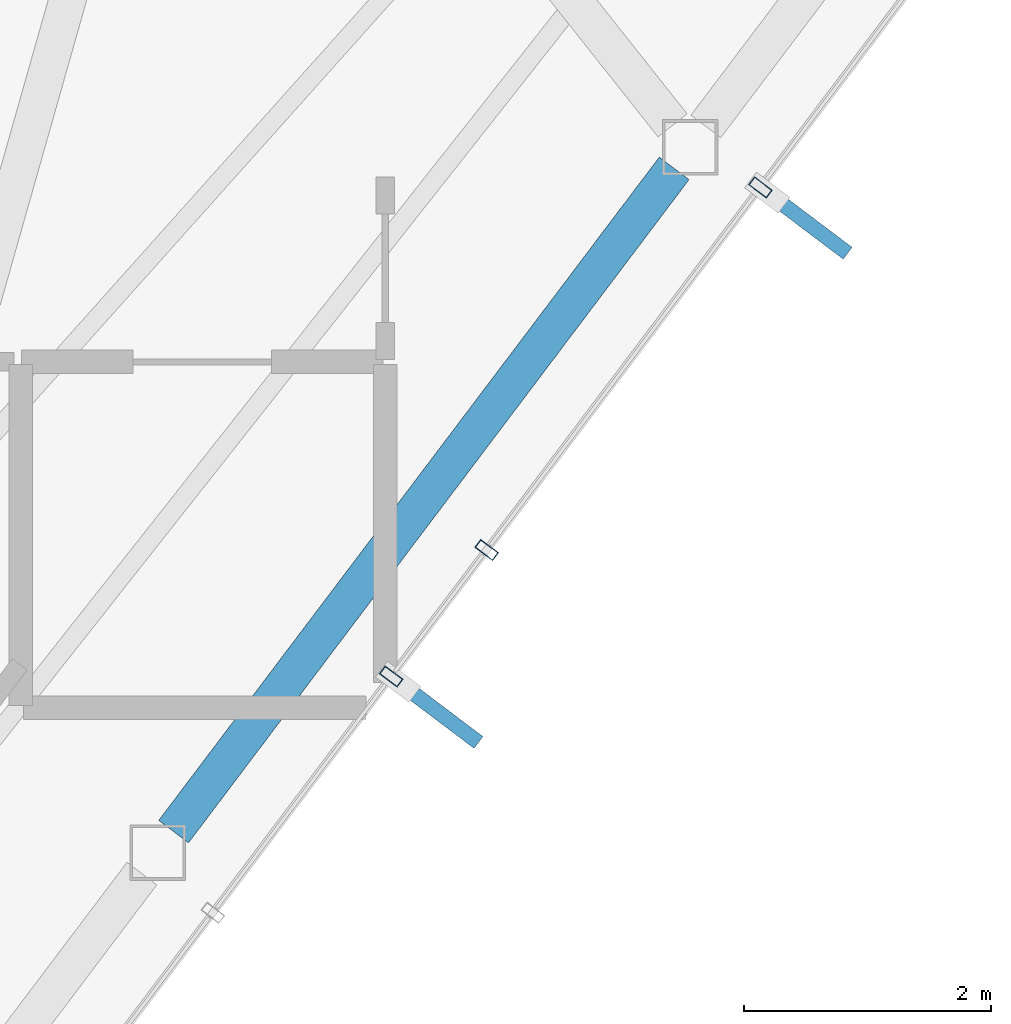
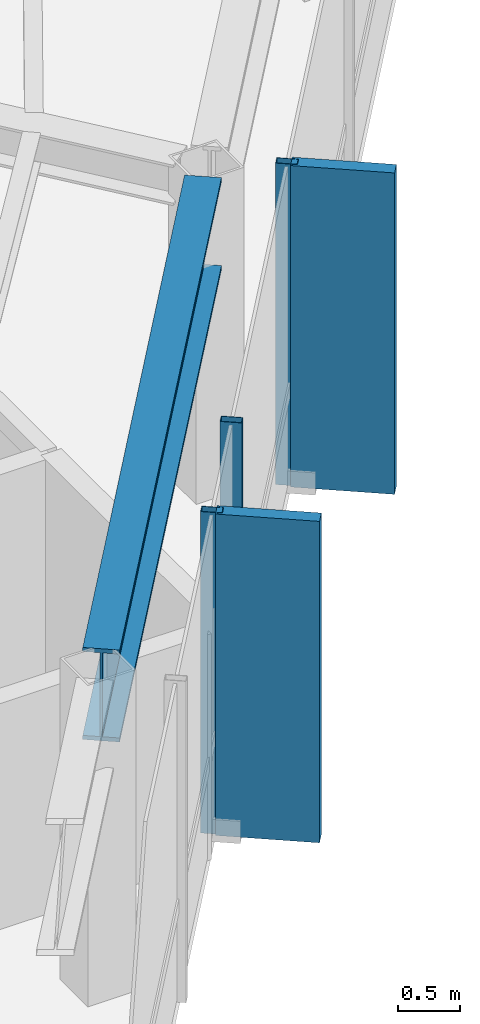
# One storey, part 15 of 23: 5 members, 1 beam, 1 element without a shape of its own.
"""IFC4 building model written with IfcOpenShell, lengths in metres."""

from ifc_helpers import new_model, si_unit, direction, frame, origin, origin_2d, place, context, subcontext, project, spatial, rectangle, hollow_rectangle, i_section, extrude, material, layer, layer_set, material_profile, profile_set, type_object, element, aggregate, save


model = new_model("IFC4")

# Units and contexts
model_context = context("Model", 3, precision=1e-05, world=origin(), true_north=direction((0.0, 1.0)))
body_context = subcontext(model_context, "Body", "Model", "MODEL_VIEW")
ifc_project = project(units=[si_unit("LENGTHUNIT", "METRE"), si_unit("AREAUNIT", "SQUARE_METRE"), si_unit("VOLUMEUNIT", "CUBIC_METRE"), si_unit("PLANEANGLEUNIT", "RADIAN"), si_unit("MASSUNIT", "GRAM", prefix="KILO")], contexts=[model_context])

# Site, building, storey
site_placement = place(None, origin())
site = spatial("IfcSite", under=ifc_project, at=site_placement, CompositionType="ELEMENT")
building_placement = place(site_placement, origin())
building = spatial("IfcBuilding", under=site, at=building_placement, Name="Zarrinselat Tower", CompositionType="ELEMENT")
storey_placement = place(building_placement, frame((0.0, 0.0, 282.199951171875)))
storey = spatial("IfcBuildingStorey", under=building, at=storey_placement, Name="L72", CompositionType="ELEMENT", Elevation=282.199951171875)

# Beam
ifc_material_1 = material(Name="Steel S460M", Category="steel")
ifc_material_profile_1 = material_profile(ifc_material_1, i_section(OverallWidth=0.302001953125, OverallDepth=0.909912109375, WebThickness=0.02099609375, FlangeThickness=0.0400390625, at=origin_2d()), Name="HEM 900")
ifc_profile_set_1 = profile_set([ifc_material_profile_1], Name="Steel S460M")
beam_type = type_object("IfcBeamType", Name="BM-HEM900", PredefinedType="BEAM", material=ifc_profile_set_1)
beam_placement = place(storey_placement, frame((46.63623046875, 26.347900390625, 2.72509765625), z_axis=(0.602447918668, 0.798158195656, 0.0), x_axis=(-0.798158195656, 0.602447918668, 0.0)))
element("IfcBeam", 1, at=beam_placement, inside=storey, type_object=beam_type, Name="L72 Perimeter Spandrel Girder SP12", PredefinedType="BEAM", context=body_context, shape_type="SweptSolid", body=[
    extrude(i_section(OverallWidth=0.302001953125, OverallDepth=0.909912109375, WebThickness=0.02099609375, FlangeThickness=0.0400390625, at=origin_2d()), origin(), (0.0, 0.0, 1.0), 6.726318359375),
])

# Curtain wall, members
ifc_material_2 = material(Name="Extruded Aluminium Alloy EN AW-6063 T6", Category="aluminium")
ifc_layer = layer(ifc_material_2, 0.199951171875)
ifc_layer_set = layer_set([ifc_layer], Name="Extruded Aluminium Alloy EN AW-6063 T6")
curtain_wall_type = type_object("IfcCurtainWallType", Name="CWS-BLADE", PredefinedType="NOTDEFINED", material=ifc_layer_set)
curtain_wall_placement = place(storey_placement, origin())
curtain_wall = element("IfcCurtainWall", 2, at=curtain_wall_placement, inside=storey, type_object=curtain_wall_type, Name="L72 Unitised Curtain Wall CW-L72-E05", PredefinedType="NOTDEFINED")
ifc_material_3 = material(Name="Extruded Aluminium Alloy EN AW-6063 T6", Category="aluminium")
ifc_material_profile_2 = material_profile(ifc_material_3, hollow_rectangle(XDim=0.080078125, YDim=0.179931640625, WallThickness=0.0048828125, at=origin_2d()), Name="RHS 180x80x5")
ifc_profile_set_2 = profile_set([ifc_material_profile_2], Name="Extruded Aluminium Alloy EN AW-6063 T6")
member_type_1 = type_object("IfcMemberType", Name="MEM-CW-MUL", PredefinedType="MULLION", material=ifc_profile_set_2)
member_1_placement = place(storey_placement, frame((48.39794921875, 27.602783203125, 0.0), z_axis=(0.0, 0.0, 1.0), x_axis=(0.602445101176, 0.798160322284, 0.0)))
member_1 = element("IfcMember", 3, at=member_1_placement, type_object=member_type_1, Name="CW-L72-E05 Mullion 3", PredefinedType="MULLION", context=body_context, shape_type="SweptSolid", body=[
    extrude(hollow_rectangle(XDim=0.080078125, YDim=0.179931640625, WallThickness=0.0048828125, at=origin_2d()), origin(), (0.0, 0.0, 1.0), 3.179931640625),
])
member_2_placement = place(storey_placement, frame((49.170654296875, 28.626708984375, 0.0), z_axis=(0.0, 0.0, 1.0), x_axis=(0.602445101176, 0.798160322284, 0.0)))
member_2 = element("IfcMember", 4, at=member_2_placement, type_object=member_type_1, Name="CW-L72-E05 Mullion 4", PredefinedType="MULLION", context=body_context, shape_type="SweptSolid", body=[
    extrude(hollow_rectangle(XDim=0.080078125, YDim=0.179931640625, WallThickness=0.0048828125, at=origin_2d()), origin(), (0.0, 0.0, 1.0), 3.179931640625),
])
member_3_placement = place(storey_placement, frame((51.386474609375, 31.5625, 0.0), z_axis=(0.0, 0.0, 1.0), x_axis=(0.602445101176, 0.798160322284, 0.0)))
member_3 = element("IfcMember", 5, at=member_3_placement, type_object=member_type_1, Name="CW-L72-E05 Mullion 5", PredefinedType="MULLION", context=body_context, shape_type="SweptSolid", body=[
    extrude(hollow_rectangle(XDim=0.080078125, YDim=0.179931640625, WallThickness=0.0048828125, at=origin_2d()), origin(), (0.0, 0.0, 1.0), 3.179931640625),
])
ifc_material_4 = material(Name="Honed Cream Travertine Stone", Category="masonry")
ifc_material_profile_3 = material_profile(ifc_material_4, rectangle(XDim=0.1201171875, YDim=0.85009765625, at=origin_2d()), Name="FIN 850x120")
ifc_profile_set_3 = profile_set([ifc_material_profile_3], Name="Honed Cream Travertine Stone")
member_type_2 = type_object("IfcMemberType", Name="MEM-STONE-FIN", PredefinedType="USERDEFINED", material=ifc_profile_set_3)
member_4_placement = place(storey_placement, frame((48.76513671875, 27.32568359375, 0.0), z_axis=(0.0, 0.0, 1.0), x_axis=(-0.602445101176, -0.798160322284, 0.0)))
member_4 = element("IfcMember", 6, at=member_4_placement, type_object=member_type_2, Name="L72 Stone Shading Fin CW-L72-E05-03", ObjectType="FIN", PredefinedType="USERDEFINED", context=body_context, shape_type="SweptSolid", body=[
    extrude(rectangle(XDim=0.1201171875, YDim=0.85009765625, at=origin_2d()), origin(), (0.0, 0.0, 1.0), 3.179931640625),
])
member_5_placement = place(storey_placement, frame((51.753662109375, 31.285400390625, 0.0), z_axis=(0.0, 0.0, 1.0), x_axis=(-0.602445101176, -0.798160322284, 0.0)))
member_5 = element("IfcMember", 7, at=member_5_placement, type_object=member_type_2, Name="L72 Stone Shading Fin CW-L72-E05-05", ObjectType="FIN", PredefinedType="USERDEFINED", context=body_context, shape_type="SweptSolid", body=[
    extrude(rectangle(XDim=0.1201171875, YDim=0.85009765625, at=origin_2d()), origin(), (0.0, 0.0, 1.0), 3.179931640625),
])
aggregate(curtain_wall, [member_1, member_4, member_2, member_3, member_5])

save(model, "model.ifc")
